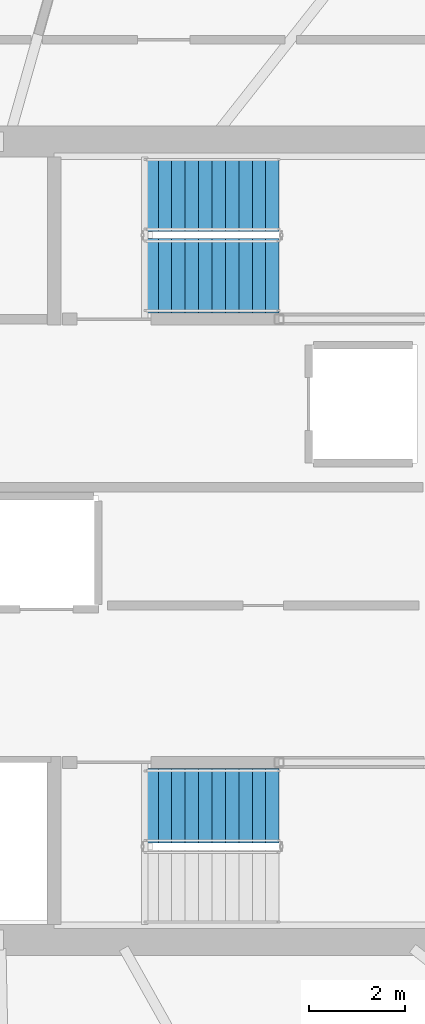
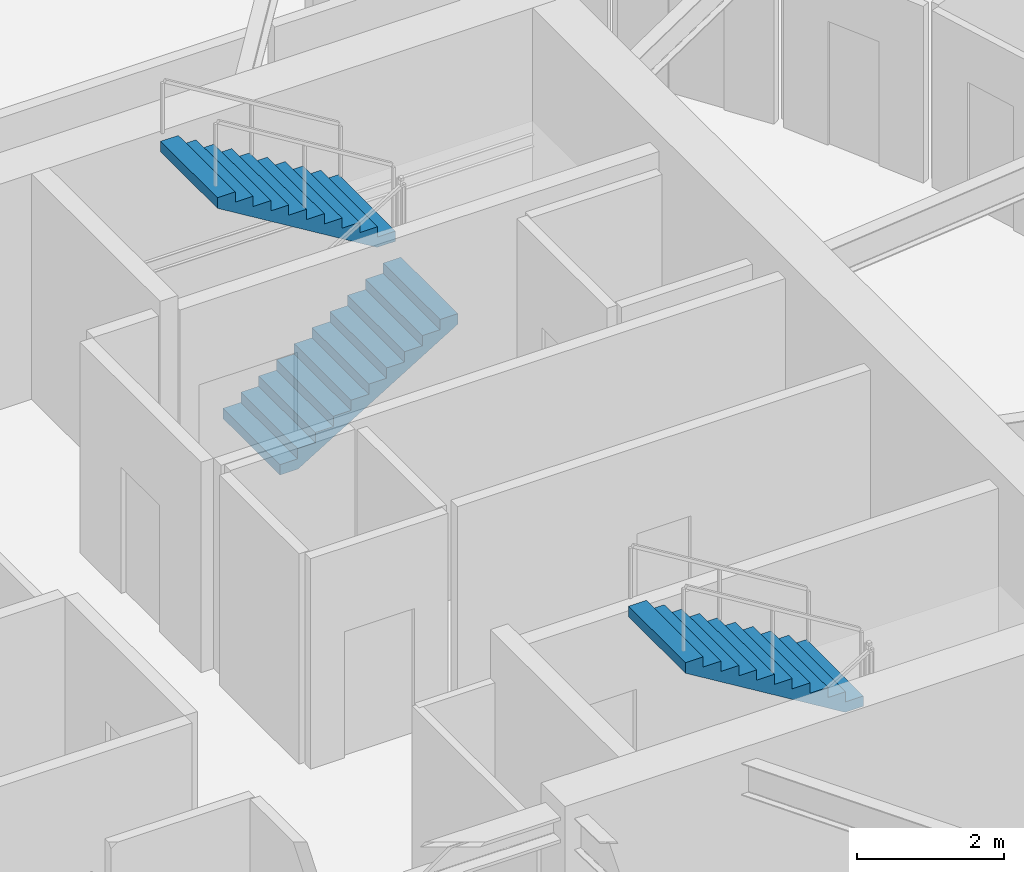
# One storey, part 16 of 21: 3 stair flights, 2 elements without a shape of their own.
"""IFC4 building model written with IfcOpenShell, lengths in metres."""

from ifc_helpers import new_model, si_unit, direction, frame, origin, place, context, subcontext, project, spatial, polyline, outline, extrude, material, type_object, element, aggregate, save


model = new_model("IFC4")

# Units and contexts
model_context = context("Model", 3, precision=1e-05, world=origin(), true_north=direction((0.0, 1.0)))
body_context = subcontext(model_context, "Body", "Model", "MODEL_VIEW")
ifc_project = project(units=[si_unit("LENGTHUNIT", "METRE"), si_unit("AREAUNIT", "SQUARE_METRE"), si_unit("VOLUMEUNIT", "CUBIC_METRE"), si_unit("PLANEANGLEUNIT", "RADIAN"), si_unit("MASSUNIT", "GRAM", prefix="KILO")], contexts=[model_context])

# Site, building, storey
site_placement = place(None, origin())
site = spatial("IfcSite", under=ifc_project, at=site_placement, CompositionType="ELEMENT")
building_placement = place(site_placement, origin())
building = spatial("IfcBuilding", under=site, at=building_placement, Name="Kazma Halo Residences", CompositionType="ELEMENT")
storey_placement = place(building_placement, frame((0.0, 0.0, 184.050048828125)))
storey = spatial("IfcBuildingStorey", under=building, at=storey_placement, Name="L46", CompositionType="ELEMENT", Elevation=184.050048828125)

# Stair, stair flights
ifc_material = material(Name="Concrete C50/60", Category="concrete")
stair_type = type_object("IfcStairType", Name="STR-RES1", PredefinedType="HALF_TURN_STAIR", material=ifc_material)
stair_1_placement = place(storey_placement, origin())
stair_1 = element("IfcStair", 1, at=stair_1_placement, inside=storey, type_object=stair_type, Name="L46 Core exit stair ST-02", PredefinedType="HALF_TURN_STAIR")
stair_flight_type = type_object("IfcStairFlightType", Name="STR-RES1-FLT", PredefinedType="STRAIGHT", material=ifc_material)
stair_flight_1_placement = place(storey_placement, frame((53.199951171875, 47.52490234375, 0.0), z_axis=(0.0, 0.0, 1.0), x_axis=(1.0, 0.0, 0.0)))
stair_flight_1 = element("IfcStairFlight", 2, at=stair_flight_1_placement, type_object=stair_flight_type, Name="ST-02 flight 1", NumberOfRisers=11, NumberOfTreads=10, PredefinedType="STRAIGHT", RiserHeight=0.170454545, TreadLength=0.28, context=body_context, shape_type="SweptSolid", body=[
    extrude(outline(polyline([(0.0, 0.0), (0.0, 0.17041015625), (0.280029296875, 0.17041015625), (0.280029296875, 0.3408203125), (0.56005859375, 0.3408203125), (0.56005859375, 0.511474609375), (0.840087890625, 0.511474609375), (0.840087890625, 0.681884765625), (1.1201171875, 0.681884765625), (1.1201171875, 0.852294921875), (1.39990234375, 0.852294921875), (1.39990234375, 1.022705078125), (1.679931640625, 1.022705078125), (1.679931640625, 1.193115234375), (1.9599609375, 1.193115234375), (1.9599609375, 1.363525390625), (2.239990234375, 1.363525390625), (2.239990234375, 1.5341796875), (2.52001953125, 1.5341796875), (2.52001953125, 1.70458984375), (2.800048828125, 1.70458984375), (2.800048828125, 1.875), (2.800048828125, 1.529052734375), (0.288330078125, 0.0), (0.0, 0.0)])), frame((0.0, 0.77490234375, 0.0), z_axis=(0.0, -1.0, 0.0), x_axis=(1.0, 0.0, 0.0)), (0.0, 0.0, 1.0), 1.550048828125),
])
stair_flight_2_placement = place(storey_placement, frame((56.0, 49.22509765625, 1.875), z_axis=(0.0, 0.0, 1.0), x_axis=(-1.0, 0.0, 0.0)))
stair_flight_2 = element("IfcStairFlight", 3, at=stair_flight_2_placement, type_object=stair_flight_type, Name="ST-02 flight 2", NumberOfRisers=11, NumberOfTreads=10, PredefinedType="STRAIGHT", RiserHeight=0.170454545, TreadLength=0.28, context=body_context, shape_type="SweptSolid", body=[
    extrude(outline(polyline([(0.0, 0.0), (0.0, 0.17041015625), (0.280029296875, 0.17041015625), (0.280029296875, 0.3408203125), (0.56005859375, 0.3408203125), (0.56005859375, 0.511474609375), (0.840087890625, 0.511474609375), (0.840087890625, 0.681884765625), (1.1201171875, 0.681884765625), (1.1201171875, 0.852294921875), (1.39990234375, 0.852294921875), (1.39990234375, 1.022705078125), (1.679931640625, 1.022705078125), (1.679931640625, 1.193115234375), (1.9599609375, 1.193115234375), (1.9599609375, 1.363525390625), (2.239990234375, 1.363525390625), (2.239990234375, 1.5341796875), (2.52001953125, 1.5341796875), (2.52001953125, 1.70458984375), (2.800048828125, 1.70458984375), (2.800048828125, 1.875), (2.800048828125, 1.529052734375), (0.288330078125, 0.0), (0.0, 0.0)])), frame((0.0, 0.77490234375, 0.0), z_axis=(0.0, -1.0, 0.0), x_axis=(1.0, 0.0, 0.0)), (0.0, 0.0, 1.0), 1.550048828125),
])
aggregate(stair_1, [stair_flight_1, stair_flight_2])

# Stair, stair flight
stair_2_placement = place(storey_placement, origin())
stair_2 = element("IfcStair", 4, at=stair_2_placement, inside=storey, type_object=stair_type, Name="L46 Core exit stair ST-03", PredefinedType="HALF_TURN_STAIR")
stair_flight_3_placement = place(storey_placement, frame((56.0, 36.47509765625, 1.875), z_axis=(0.0, 0.0, 1.0), x_axis=(-1.0, 0.0, 0.0)))
stair_flight_3 = element("IfcStairFlight", 5, at=stair_flight_3_placement, type_object=stair_flight_type, Name="ST-03 flight 2", NumberOfRisers=11, NumberOfTreads=10, PredefinedType="STRAIGHT", RiserHeight=0.170454545, TreadLength=0.28, context=body_context, shape_type="SweptSolid", body=[
    extrude(outline(polyline([(0.0, 0.0), (0.0, 0.17041015625), (0.280029296875, 0.17041015625), (0.280029296875, 0.3408203125), (0.56005859375, 0.3408203125), (0.56005859375, 0.511474609375), (0.840087890625, 0.511474609375), (0.840087890625, 0.681884765625), (1.1201171875, 0.681884765625), (1.1201171875, 0.852294921875), (1.39990234375, 0.852294921875), (1.39990234375, 1.022705078125), (1.679931640625, 1.022705078125), (1.679931640625, 1.193115234375), (1.9599609375, 1.193115234375), (1.9599609375, 1.363525390625), (2.239990234375, 1.363525390625), (2.239990234375, 1.5341796875), (2.52001953125, 1.5341796875), (2.52001953125, 1.70458984375), (2.800048828125, 1.70458984375), (2.800048828125, 1.875), (2.800048828125, 1.529052734375), (0.288330078125, 0.0), (0.0, 0.0)])), frame((0.0, 0.77490234375, 0.0), z_axis=(0.0, -1.0, 0.0), x_axis=(1.0, 0.0, 0.0)), (0.0, 0.0, 1.0), 1.550048828125),
])
aggregate(stair_2, [stair_flight_3])

save(model, "model.ifc")
